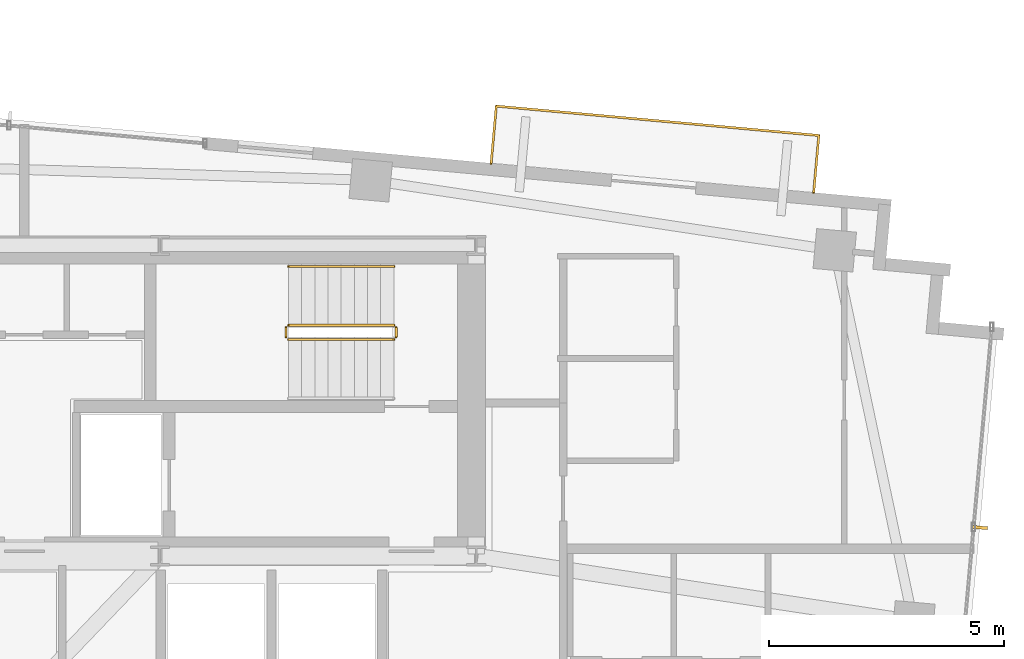
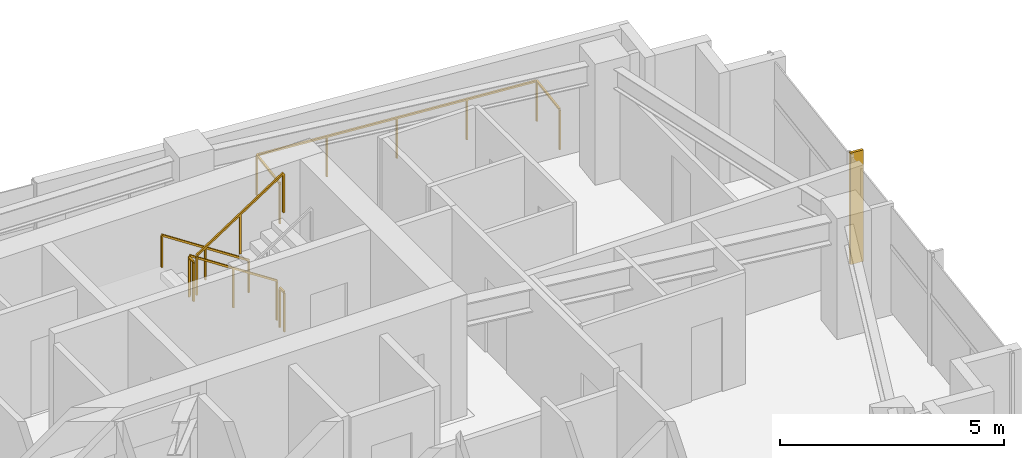
# One storey, part 22 of 22: 6 railings, 1 shading device.
"""IFC4 building model written with IfcOpenShell, lengths in metres."""

from ifc_helpers import new_model, si_unit, direction, frame, origin, origin_2d, place, context, subcontext, project, spatial, rectangle, extrude, source, transform, mapped, material, type_object, type_shapes, element, save


model = new_model("IFC4")

# Units and contexts
model_context = context("Model", 3, precision=1e-05, world=origin(), true_north=direction((0.0, 1.0)))
body_context = subcontext(model_context, "Body", "Model", "MODEL_VIEW")
ifc_project = project(units=[si_unit("LENGTHUNIT", "METRE"), si_unit("AREAUNIT", "SQUARE_METRE"), si_unit("VOLUMEUNIT", "CUBIC_METRE"), si_unit("PLANEANGLEUNIT", "RADIAN"), si_unit("MASSUNIT", "GRAM", prefix="KILO")], contexts=[model_context])

# Site, building, storey
site_placement = place(None, origin())
site = spatial("IfcSite", under=ifc_project, at=site_placement, CompositionType="ELEMENT")
building_placement = place(site_placement, origin())
building = spatial("IfcBuilding", under=site, at=building_placement, Name="Astriad Promenade Condominiums", CompositionType="ELEMENT")
storey_placement = place(building_placement, frame((0.0, 0.0, 233.10009765625)))
storey = spatial("IfcBuildingStorey", under=building, at=storey_placement, Name="L67", CompositionType="ELEMENT", Elevation=233.10009765625)

# Shading device
ifc_material_1 = material(Name="Anodised aluminium 6063-T6 Black Fin", Category="aluminium")
shading_device_type = type_object("IfcShadingDeviceType", Name="FIN-BLACK-260", PredefinedType="USERDEFINED", material=ifc_material_1)
shared_shape_1 = source(origin(), body_context, "Body", "SweptSolid", [
    extrude(rectangle(XDim=0.06494140625, YDim=0.320068359375, at=origin_2d()), origin(), (0.0, 0.0, 1.0), 3.0400390625),
])
type_shapes(shading_device_type, [shared_shape_1])
shading_device_placement = place(storey_placement, frame((56.306884765625, 18.0029296875, 0.0), z_axis=(0.0, 0.0, 1.0), x_axis=(-0.090632580198, -0.995884398616, 0.0)))
element("IfcShadingDevice", 1, at=shading_device_placement, inside=storey, type_object=shading_device_type, Name="CW-L67-E-FIN-01", ObjectType="FIN", PredefinedType="USERDEFINED", context=body_context, shape_type="MappedRepresentation", body=[
    mapped(shared_shape_1, transform((0.0, 0.0, 0.0), scale=1.0)),
])

# Railings
ifc_material_2 = material(Name="Laminated Glass and Stainless Steel Balustrade", Category="steel")
railing_type_1 = type_object("IfcRailingType", Name="GRD-BALC-1120", PredefinedType="BALUSTRADE", material=ifc_material_2)
shared_shape_2 = source(origin(), body_context, "Body", "SweptSolid", [
    extrude(rectangle(XDim=0.048095703125, YDim=0.048095703125, at=origin_2d()), frame((0.0, 0.0, 1.09619140625), z_axis=(0.09066206129, 0.995881715186, 0.0), x_axis=(-0.995881715186, 0.09066206129, 0.0)), (0.0, 0.0, 1.0), 1.219970703125),
    extrude(rectangle(XDim=0.048095703125, YDim=0.048095703125, at=origin_2d()), frame((0.110595703125, 1.21484375, 1.09619140625), z_axis=(-0.995885061836, 0.090625292339, 0.0), x_axis=(-0.090625292339, -0.995885061836, 0.0)), (0.0, 0.0, 1.0), 6.883056640625),
    extrude(rectangle(XDim=0.048095703125, YDim=0.048095703125, at=origin_2d()), frame((-6.744140625, 1.838623046875, 1.09619140625), z_axis=(-0.09066206129, -0.995881715186, 0.0), x_axis=(0.995881715186, -0.09066206129, 0.0)), (0.0, 0.0, 1.0), 1.219970703125),
    extrude(rectangle(XDim=0.0419921875, YDim=0.0419921875, at=origin_2d()), origin(), (0.0, 0.0, 1.0), 1.072021484375),
    extrude(rectangle(XDim=0.0419921875, YDim=0.0419921875, at=origin_2d()), frame((0.110595703125, 1.21484375, 0.0)), (0.0, 0.0, 1.0), 1.072021484375),
    extrude(rectangle(XDim=0.0419921875, YDim=0.0419921875, at=origin_2d()), frame((-1.60302734375, 1.370849609375, 0.0)), (0.0, 0.0, 1.0), 1.072021484375),
    extrude(rectangle(XDim=0.0419921875, YDim=0.0419921875, at=origin_2d()), frame((-3.31689453125, 1.52685546875, 0.0)), (0.0, 0.0, 1.0), 1.072021484375),
    extrude(rectangle(XDim=0.0419921875, YDim=0.0419921875, at=origin_2d()), frame((-5.030517578125, 1.6826171875, 0.0)), (0.0, 0.0, 1.0), 1.072021484375),
    extrude(rectangle(XDim=0.0419921875, YDim=0.0419921875, at=origin_2d()), frame((-6.744140625, 1.838623046875, 0.0)), (0.0, 0.0, 1.0), 1.072021484375),
    extrude(rectangle(XDim=0.0419921875, YDim=0.0419921875, at=origin_2d()), frame((-6.854736328125, 0.623779296875, 0.0)), (0.0, 0.0, 1.0), 1.072021484375),
])
type_shapes(railing_type_1, [shared_shape_2])
railing_1_placement = place(storey_placement, frame((52.7705078125, 25.119384765625, 0.0)))
element("IfcRailing", 2, at=railing_1_placement, inside=storey, type_object=railing_type_1, Name="GRD-BALC-L67-NE", PredefinedType="BALUSTRADE", context=body_context, shape_type="MappedRepresentation", body=[
    mapped(shared_shape_2, transform((0.0, 0.0, 0.0), scale=1.0)),
])
ifc_material_3 = material(Name="Painted Galvanised Steel Guardrail", Category="steel")
railing_type_2 = type_object("IfcRailingType", Name="GRD-STAIR-1100", PredefinedType="GUARDRAIL", material=ifc_material_3)
shared_shape_3 = source(origin(), body_context, "Body", "SweptSolid", [
    extrude(rectangle(XDim=0.048095703125, YDim=0.048095703125, at=origin_2d()), frame((0.0, 0.0, 1.076171875), z_axis=(0.836636935527, 0.0, 0.547757827979), x_axis=(0.0, 1.0, 0.0)), (0.0, 0.0, 1.0), 2.677490234375),
    extrude(rectangle(XDim=0.0419921875, YDim=0.0419921875, at=origin_2d()), origin(), (0.0, 0.0, 1.0), 1.052001953125),
    extrude(rectangle(XDim=0.0419921875, YDim=0.0419921875, at=origin_2d()), frame((1.1201171875, 0.0, 0.7333984375)), (0.0, 0.0, 1.0), 1.052001953125),
    extrude(rectangle(XDim=0.0419921875, YDim=0.0419921875, at=origin_2d()), frame((2.239990234375, 0.0, 1.466552734375)), (0.0, 0.0, 1.0), 1.052001953125),
])
railing_2_placement = place(storey_placement, frame((41.610107421875, 22.0, 1.833251953125)))
element("IfcRailing", 3, at=railing_2_placement, inside=storey, type_object=railing_type_2, Name="L67 ST-2 stair guard 3", PredefinedType="GUARDRAIL", context=body_context, shape_type="MappedRepresentation", body=[
    mapped(shared_shape_3, transform((0.0, 0.0, 0.0), scale=1.0)),
])
shared_shape_4 = source(origin(), body_context, "Body", "SweptSolid", [
    extrude(rectangle(XDim=0.048095703125, YDim=0.048095703125, at=origin_2d()), frame((0.0, 0.0, 1.076171875), z_axis=(-0.836636935527, 0.0, 0.547757827979), x_axis=(0.0, -1.0, 0.0)), (0.0, 0.0, 1.0), 2.677490234375),
    extrude(rectangle(XDim=0.0419921875, YDim=0.0419921875, at=origin_2d()), origin(), (0.0, 0.0, 1.0), 1.052001953125),
    extrude(rectangle(XDim=0.0419921875, YDim=0.0419921875, at=origin_2d()), frame((-1.1201171875, 0.0, 0.7333984375)), (0.0, 0.0, 1.0), 1.052001953125),
    extrude(rectangle(XDim=0.0419921875, YDim=0.0419921875, at=origin_2d()), frame((-2.239990234375, 0.0, 1.466552734375)), (0.0, 0.0, 1.0), 1.052001953125),
])
railing_3_placement = place(storey_placement, frame((43.85009765625, 22.300048828125, 0.183349609375)))
element("IfcRailing", 4, at=railing_3_placement, inside=storey, type_object=railing_type_2, Name="L67 ST-2 stair guard 1", PredefinedType="GUARDRAIL", context=body_context, shape_type="MappedRepresentation", body=[
    mapped(shared_shape_4, transform((0.0, 0.0, 0.0), scale=1.0)),
])
ifc_material_4 = material(Name="Brushed Stainless Steel Handrail", Category="steel")
railing_type_3 = type_object("IfcRailingType", Name="HRL-STAIR-920", PredefinedType="HANDRAIL", material=ifc_material_4)
shared_shape_5 = source(origin(), body_context, "Body", "SweptSolid", [
    extrude(rectangle(XDim=0.048095703125, YDim=0.048095703125, at=origin_2d()), frame((0.0, 0.0, 0.8759765625), z_axis=(-0.836636935527, 0.0, 0.547757827979), x_axis=(0.0, -1.0, 0.0)), (0.0, 0.0, 1.0), 2.677490234375),
    extrude(rectangle(XDim=0.0419921875, YDim=0.0419921875, at=origin_2d()), origin(), (0.0, 0.0, 1.0), 0.851806640625),
    extrude(rectangle(XDim=0.0419921875, YDim=0.0419921875, at=origin_2d()), frame((-1.1201171875, 0.0, 0.7333984375)), (0.0, 0.0, 1.0), 0.851806640625),
    extrude(rectangle(XDim=0.0419921875, YDim=0.0419921875, at=origin_2d()), frame((-2.239990234375, 0.0, 1.466552734375)), (0.0, 0.0, 1.0), 0.851806640625),
])
type_shapes(railing_type_3, [shared_shape_5])
railing_4_placement = place(storey_placement, frame((43.85009765625, 23.550048828125, 0.183349609375)))
element("IfcRailing", 5, at=railing_4_placement, inside=storey, type_object=railing_type_3, Name="L67 ST-2 stair handrail 1", PredefinedType="HANDRAIL", context=body_context, shape_type="MappedRepresentation", body=[
    mapped(shared_shape_5, transform((0.0, 0.0, 0.0), scale=1.0)),
])
shared_shape_6 = source(origin(), body_context, "Body", "SweptSolid", [
    extrude(rectangle(XDim=0.048095703125, YDim=0.048095703125, at=origin_2d()), frame((0.0, 0.0, 1.076171875), z_axis=(0.0, -1.0, 0.0), x_axis=(1.0, 0.0, 0.0)), (0.0, 0.0, 1.0), 0.199951171875),
    extrude(rectangle(XDim=0.0419921875, YDim=0.0419921875, at=origin_2d()), origin(), (0.0, 0.0, 1.0), 1.052001953125),
    extrude(rectangle(XDim=0.0419921875, YDim=0.0419921875, at=origin_2d()), frame((0.0, -0.199951171875, 0.0)), (0.0, 0.0, 1.0), 1.052001953125),
])
type_shapes(railing_type_2, [shared_shape_3, shared_shape_4, shared_shape_6])
for number, where, name in (
    (6, (41.56005859375, 22.25, 1.64990234375), "L67 ST-2 stair guard 2"),
    (7, (43.89990234375, 22.25, 0.0), "L67 ST-2 stair guard 4"),
):
    element("IfcRailing", number, at=place(storey_placement, frame(where)), inside=storey, type_object=railing_type_2, Name=name, PredefinedType="GUARDRAIL", context=body_context, shape_type="MappedRepresentation", body=[
        mapped(shared_shape_6, transform((0.0, 0.0, 0.0), scale=1.0)),
    ])

save(model, "model.ifc")
